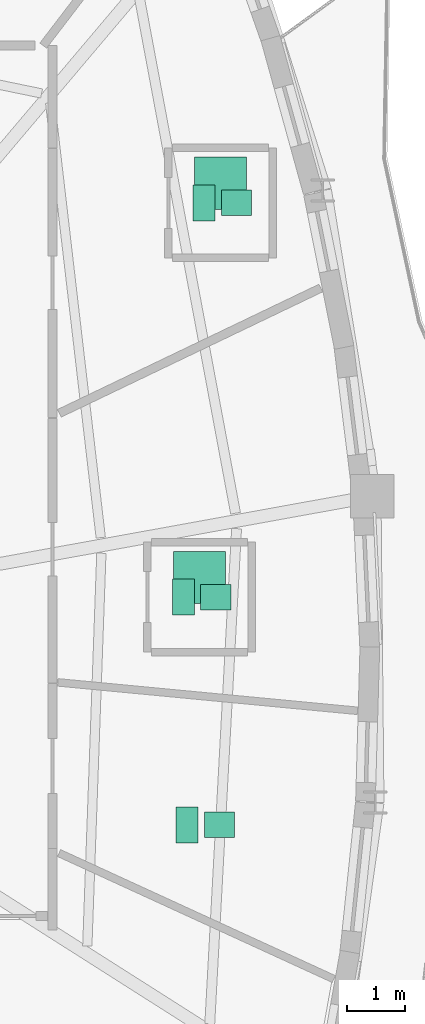
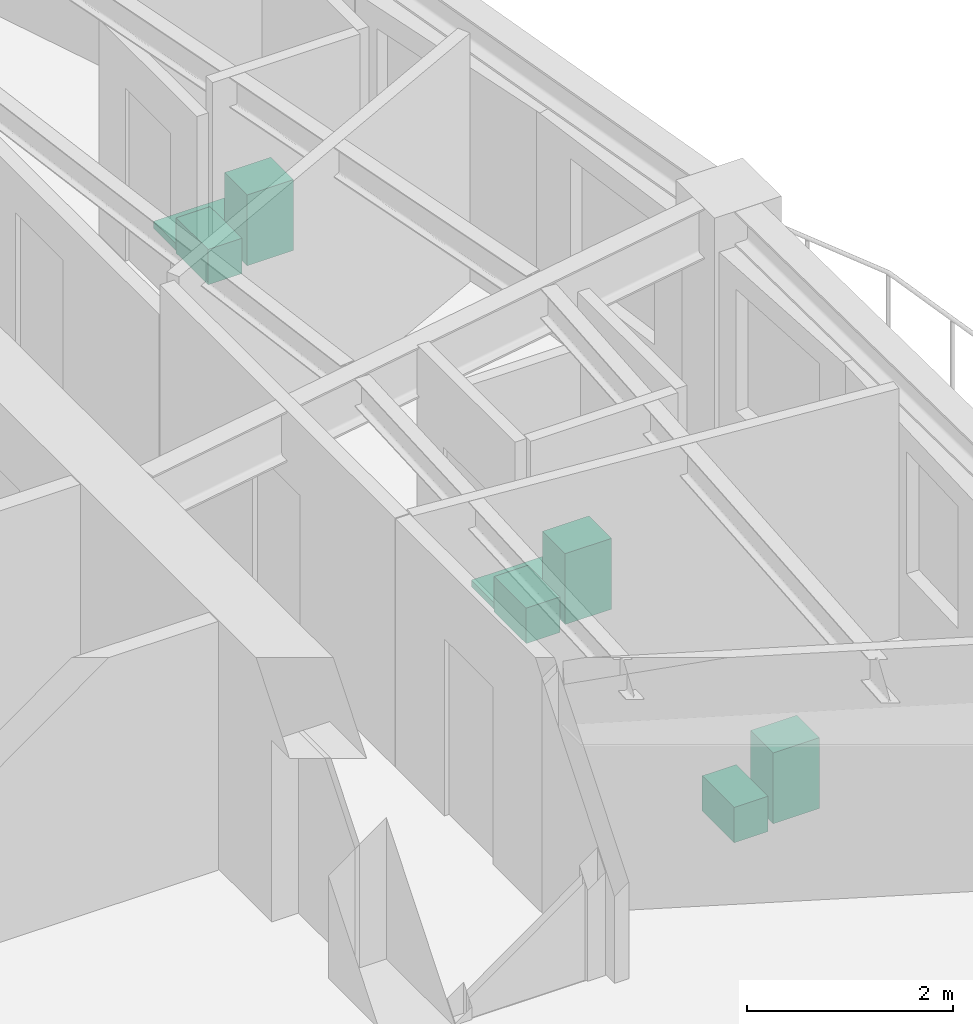
# One storey, part 12 of 12: 8 sanitary terminals.
"""IFC4 building model written with IfcOpenShell, lengths in metres."""

from ifc_helpers import new_model, si_unit, direction, frame, origin, origin_2d, place, context, subcontext, project, spatial, rectangle, extrude, source, transform, mapped, material, type_object, element, save


model = new_model("IFC4")

# Units and contexts
model_context = context("Model", 3, precision=1e-05, world=origin(), true_north=direction((0.0, 1.0)))
body_context = subcontext(model_context, "Body", "Model", "MODEL_VIEW")
ifc_project = project(units=[si_unit("LENGTHUNIT", "METRE"), si_unit("AREAUNIT", "SQUARE_METRE"), si_unit("VOLUMEUNIT", "CUBIC_METRE"), si_unit("PLANEANGLEUNIT", "RADIAN"), si_unit("MASSUNIT", "GRAM", prefix="KILO")], contexts=[model_context])

# Site, building, storey
site_placement = place(None, origin())
site = spatial("IfcSite", under=ifc_project, at=site_placement, CompositionType="ELEMENT")
building_placement = place(site_placement, origin())
building = spatial("IfcBuilding", under=site, at=building_placement, Name="Qafzar Sky-Pleat Residences", CompositionType="ELEMENT")
storey_placement = place(building_placement, frame((0.0, 0.0, 145.800048828125)))
storey = spatial("IfcBuildingStorey", under=building, at=storey_placement, Name="L43", CompositionType="ELEMENT", Elevation=145.800048828125)

# Sanitary terminals
ifc_material_1 = material(Name="Vitreous china sanitaryware")
sanitary_terminal_type_1 = type_object("IfcSanitaryTerminalType", Name="SAN-WC-PAN", PredefinedType="TOILETPAN", material=ifc_material_1)
shared_shape_1 = source(origin(), body_context, "Body", "SweptSolid", [
    extrude(rectangle(XDim=0.3798828125, YDim=0.6201171875, at=origin_2d()), origin(), (0.0, 0.0, 1.0), 0.419921875),
])
for number, where, z_axis, x_axis, name in (
    (1, (40.650634765625, 22.774169921875, 0.0), (0.0, 0.0, 1.0), (1.0, 0.0, 0.0), "L43 Accessible Shared Washroom WC Pan"),
    (2, (40.587890625, 26.70703125, 0.0), (0.0, 0.0, 1.0), (1.0, 0.0, 0.0), "L43 En-suite Bathroom 1 WC Pan"),
    (3, (40.949951171875, 33.513916015625, 0.0), (0.0, 0.0, 1.0), (1.0, 0.0, 0.0), "L43 En-suite Bathroom 2 WC Pan"),
):
    element("IfcSanitaryTerminal", number, at=place(storey_placement, frame(where, z_axis=z_axis, x_axis=x_axis)), inside=storey, type_object=sanitary_terminal_type_1, Name=name, PredefinedType="TOILETPAN", context=body_context, shape_type="MappedRepresentation", body=[
        mapped(shared_shape_1, transform((0.0, 0.0, 0.0), x_axis=(1.0, 0.0, 0.0), y_axis=(0.0, 1.0, 0.0), z_axis=(0.0, 0.0, 1.0), scale=1.0)),
    ])
sanitary_terminal_type_2 = type_object("IfcSanitaryTerminalType", Name="SAN-BASIN", PredefinedType="WASHHANDBASIN", material=ifc_material_1)
shared_shape_2 = source(origin(), body_context, "Body", "SweptSolid", [
    extrude(rectangle(XDim=0.52001953125, YDim=0.43994140625, at=origin_2d()), origin(), (0.0, 0.0, 1.0), 0.840087890625),
])
for number, where, z_axis, x_axis, name in (
    (4, (41.210693359375, 22.774169921875, 0.0), (0.0, 0.0, 1.0), (1.0, 0.0, 0.0), "L43 Accessible Shared Washroom Pedestal Washbasin"),
    (5, (41.14794921875, 26.70703125, 0.0), (0.0, 0.0, 1.0), (1.0, 0.0, 0.0), "L43 En-suite Bathroom 1 Pedestal Washbasin"),
    (6, (41.510009765625, 33.513916015625, 0.0), (0.0, 0.0, 1.0), (1.0, 0.0, 0.0), "L43 En-suite Bathroom 2 Pedestal Washbasin"),
):
    element("IfcSanitaryTerminal", number, at=place(storey_placement, frame(where, z_axis=z_axis, x_axis=x_axis)), inside=storey, type_object=sanitary_terminal_type_2, Name=name, PredefinedType="WASHHANDBASIN", context=body_context, shape_type="MappedRepresentation", body=[
        mapped(shared_shape_2, transform((0.0, 0.0, 0.0), x_axis=(1.0, 0.0, 0.0), y_axis=(0.0, 1.0, 0.0), z_axis=(0.0, 0.0, 1.0), scale=1.0)),
    ])
ifc_material_2 = material(Name="Vitreous china and acrylic tray")
sanitary_terminal_type_3 = type_object("IfcSanitaryTerminalType", Name="SAN-SHOWER", PredefinedType="SHOWER", material=ifc_material_2)
shared_shape_3 = source(origin(), body_context, "Body", "SweptSolid", [
    extrude(rectangle(XDim=0.89990234375, YDim=0.89990234375, at=origin_2d()), origin(), (0.0, 0.0, 1.0), 0.080078125),
])
for number, where, z_axis, x_axis, name in (
    (7, (40.867919921875, 27.047119140625, 0.0), (0.0, 0.0, 1.0), (1.0, 0.0, 0.0), "L43 En-suite Bathroom 1 Walk-In Shower"),
    (8, (41.22998046875, 33.85400390625, 0.0), (0.0, 0.0, 1.0), (1.0, 0.0, 0.0), "L43 En-suite Bathroom 2 Walk-In Shower"),
):
    element("IfcSanitaryTerminal", number, at=place(storey_placement, frame(where, z_axis=z_axis, x_axis=x_axis)), inside=storey, type_object=sanitary_terminal_type_3, Name=name, PredefinedType="SHOWER", context=body_context, shape_type="MappedRepresentation", body=[
        mapped(shared_shape_3, transform((0.0, 0.0, 0.0), x_axis=(1.0, 0.0, 0.0), y_axis=(0.0, 1.0, 0.0), z_axis=(0.0, 0.0, 1.0), scale=1.0)),
    ])

save(model, "model.ifc")
